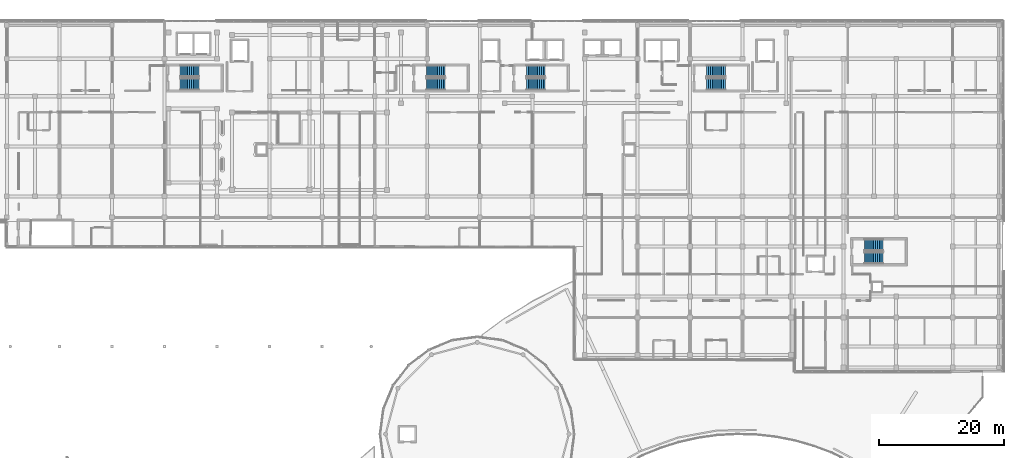
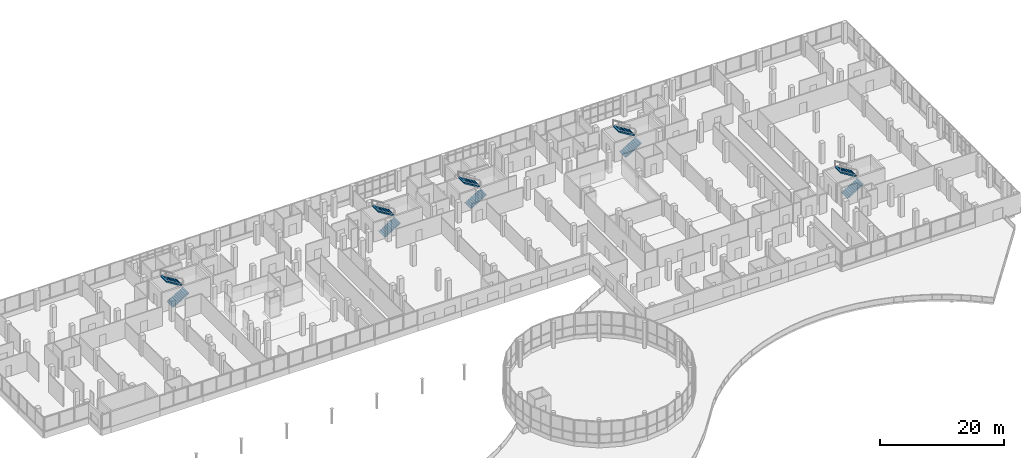
# One storey, part 92 of 101: 10 stair flights, 5 elements without a shape of their own.
"""IFC4 building model written with IfcOpenShell, lengths in metres."""

from ifc_helpers import new_model, si_unit, direction, frame, origin, place, context, subcontext, project, spatial, polyline, outline, extrude, material, layer, layer_set, type_object, element, aggregate, save


model = new_model("IFC4")

# Units and contexts
model_context = context("Model", 3, precision=1e-05, world=origin(), true_north=direction((0.0, 1.0)))
body_context = subcontext(model_context, "Body", "Model", "MODEL_VIEW")
ifc_project = project(units=[si_unit("LENGTHUNIT", "METRE"), si_unit("AREAUNIT", "SQUARE_METRE"), si_unit("VOLUMEUNIT", "CUBIC_METRE"), si_unit("PLANEANGLEUNIT", "RADIAN"), si_unit("MASSUNIT", "GRAM", prefix="KILO")], contexts=[model_context])

# Site, building, storey
site_placement = place(None, origin())
site = spatial("IfcSite", under=ifc_project, at=site_placement, CompositionType="ELEMENT")
building_placement = place(site_placement, origin())
building = spatial("IfcBuilding", under=site, at=building_placement, Name="Selatvlak General Hospital", CompositionType="ELEMENT")
storey_placement = place(building_placement, frame((0.0, 0.0, 19.199951171875)))
storey = spatial("IfcBuildingStorey", under=building, at=storey_placement, Name="L04", CompositionType="ELEMENT", Elevation=19.199951171875)

# Stair, stair flights
ifc_material = material(Name="Precast concrete C40/50", Category="concrete")
stair_type_1 = type_object("IfcStairType", Name="STAIR-ST-01", PredefinedType="HALF_TURN_STAIR", material=ifc_material)
stair_1_placement = place(storey_placement, origin())
stair_1 = element("IfcStair", 1, at=stair_1_placement, inside=storey, type_object=stair_type_1, Name="L04 Protected exit stair ST-01", PredefinedType="HALF_TURN_STAIR")
ifc_layer_1 = layer(ifc_material, 0.179931640625, Name="Precast concrete C40/50", Category="concrete")
ifc_layer_set_1 = layer_set([ifc_layer_1], Name="Precast concrete C40/50")
stair_flight_type_1 = type_object("IfcStairFlightType", Name="FLIGHT-ST-01", PredefinedType="STRAIGHT", material=ifc_layer_set_1)
stair_flight_1_placement = place(storey_placement, frame((50.510009765625, 109.929931640625, 0.0), z_axis=(0.0, 0.0, 1.0), x_axis=(1.0, 0.0, 0.0)))
stair_flight_1 = element("IfcStairFlight", 2, at=stair_flight_1_placement, type_object=stair_flight_type_1, Name="ST-01 flight 1", NumberOfRisers=11, NumberOfTreads=10, PredefinedType="STRAIGHT", RiserHeight=0.184090909, TreadLength=0.3, context=body_context, shape_type="SweptSolid", body=[
    extrude(outline(polyline([(0.0, 0.0), (0.0, 0.18408203125), (0.300048828125, 0.18408203125), (0.300048828125, 0.3681640625), (0.60009765625, 0.3681640625), (0.60009765625, 0.55224609375), (0.89990234375, 0.55224609375), (0.89990234375, 0.736328125), (1.199951171875, 0.736328125), (1.199951171875, 0.92041015625), (1.5, 0.92041015625), (1.5, 1.1044921875), (1.800048828125, 1.1044921875), (1.800048828125, 1.28857421875), (2.10009765625, 1.28857421875), (2.10009765625, 1.47265625), (2.39990234375, 1.47265625), (2.39990234375, 1.65673828125), (2.699951171875, 1.65673828125), (2.699951171875, 1.8408203125), (3.0, 1.8408203125), (3.0, 2.02490234375), (3.0, 1.6298828125), (0.343994140625, 0.0), (0.0, 0.0)])), frame((0.0, 0.93017578125, 0.0), z_axis=(0.0, -1.0, 0.0), x_axis=(1.0, 0.0, 0.0)), (0.0, 0.0, 1.0), 1.860107421875),
])
stair_flight_2_placement = place(storey_placement, frame((53.510009765625, 112.010009765625, 2.025146484375), z_axis=(0.0, 0.0, 1.0), x_axis=(-1.0, 0.0, 0.0)))
stair_flight_2 = element("IfcStairFlight", 3, at=stair_flight_2_placement, type_object=stair_flight_type_1, Name="ST-01 flight 2", NumberOfRisers=11, NumberOfTreads=10, PredefinedType="STRAIGHT", RiserHeight=0.184090909, TreadLength=0.3, context=body_context, shape_type="SweptSolid", body=[
    extrude(outline(polyline([(0.0, 0.0), (0.0, 0.18408203125), (0.300048828125, 0.18408203125), (0.300048828125, 0.3681640625), (0.60009765625, 0.3681640625), (0.60009765625, 0.55224609375), (0.89990234375, 0.55224609375), (0.89990234375, 0.736328125), (1.199951171875, 0.736328125), (1.199951171875, 0.92041015625), (1.5, 0.92041015625), (1.5, 1.1044921875), (1.800048828125, 1.1044921875), (1.800048828125, 1.28857421875), (2.10009765625, 1.28857421875), (2.10009765625, 1.47265625), (2.39990234375, 1.47265625), (2.39990234375, 1.65673828125), (2.699951171875, 1.65673828125), (2.699951171875, 1.8408203125), (3.0, 1.8408203125), (3.0, 2.02490234375), (3.0, 1.6298828125), (0.343994140625, 0.0), (0.0, 0.0)])), frame((0.0, 0.93017578125, 0.0), z_axis=(0.0, -1.0, 0.0), x_axis=(1.0, 0.0, 0.0)), (0.0, 0.0, 1.0), 1.860107421875),
])
aggregate(stair_1, [stair_flight_1, stair_flight_2])

stair_type_2 = type_object("IfcStairType", Name="STAIR-ST-02", PredefinedType="HALF_TURN_STAIR", material=ifc_material)
stair_2_placement = place(storey_placement, origin())
stair_2 = element("IfcStair", 4, at=stair_2_placement, inside=storey, type_object=stair_type_2, Name="L04 Protected exit stair ST-02", PredefinedType="HALF_TURN_STAIR")
ifc_layer_2 = layer(ifc_material, 0.179931640625, Name="Precast concrete C40/50", Category="concrete")
ifc_layer_set_2 = layer_set([ifc_layer_2], Name="Precast concrete C40/50")
stair_flight_type_2 = type_object("IfcStairFlightType", Name="FLIGHT-ST-02", PredefinedType="STRAIGHT", material=ifc_layer_set_2)
stair_flight_3_placement = place(storey_placement, frame((89.860107421875, 109.929931640625, 0.0), z_axis=(0.0, 0.0, 1.0), x_axis=(1.0, 0.0, 0.0)))
stair_flight_3 = element("IfcStairFlight", 5, at=stair_flight_3_placement, type_object=stair_flight_type_2, Name="ST-02 flight 1", NumberOfRisers=11, NumberOfTreads=10, PredefinedType="STRAIGHT", RiserHeight=0.184090909, TreadLength=0.3, context=body_context, shape_type="SweptSolid", body=[
    extrude(outline(polyline([(0.0, 0.0), (0.0, 0.18408203125), (0.300048828125, 0.18408203125), (0.300048828125, 0.3681640625), (0.60009765625, 0.3681640625), (0.60009765625, 0.55224609375), (0.89990234375, 0.55224609375), (0.89990234375, 0.736328125), (1.199951171875, 0.736328125), (1.199951171875, 0.92041015625), (1.5, 0.92041015625), (1.5, 1.1044921875), (1.800048828125, 1.1044921875), (1.800048828125, 1.28857421875), (2.10009765625, 1.28857421875), (2.10009765625, 1.47265625), (2.39990234375, 1.47265625), (2.39990234375, 1.65673828125), (2.699951171875, 1.65673828125), (2.699951171875, 1.8408203125), (3.0, 1.8408203125), (3.0, 2.02490234375), (3.0, 1.6298828125), (0.343994140625, 0.0), (0.0, 0.0)])), frame((0.0, 0.93017578125, 0.0), z_axis=(0.0, -1.0, 0.0), x_axis=(1.0, 0.0, 0.0)), (0.0, 0.0, 1.0), 1.860107421875),
])
stair_flight_4_placement = place(storey_placement, frame((92.860107421875, 112.010009765625, 2.025146484375), z_axis=(0.0, 0.0, 1.0), x_axis=(-1.0, 0.0, 0.0)))
stair_flight_4 = element("IfcStairFlight", 6, at=stair_flight_4_placement, type_object=stair_flight_type_2, Name="ST-02 flight 2", NumberOfRisers=11, NumberOfTreads=10, PredefinedType="STRAIGHT", RiserHeight=0.184090909, TreadLength=0.3, context=body_context, shape_type="SweptSolid", body=[
    extrude(outline(polyline([(0.0, 0.0), (0.0, 0.18408203125), (0.300048828125, 0.18408203125), (0.300048828125, 0.3681640625), (0.60009765625, 0.3681640625), (0.60009765625, 0.55224609375), (0.89990234375, 0.55224609375), (0.89990234375, 0.736328125), (1.199951171875, 0.736328125), (1.199951171875, 0.92041015625), (1.5, 0.92041015625), (1.5, 1.1044921875), (1.800048828125, 1.1044921875), (1.800048828125, 1.28857421875), (2.10009765625, 1.28857421875), (2.10009765625, 1.47265625), (2.39990234375, 1.47265625), (2.39990234375, 1.65673828125), (2.699951171875, 1.65673828125), (2.699951171875, 1.8408203125), (3.0, 1.8408203125), (3.0, 2.02490234375), (3.0, 1.6298828125), (0.343994140625, 0.0), (0.0, 0.0)])), frame((0.0, 0.93017578125, 0.0), z_axis=(0.0, -1.0, 0.0), x_axis=(1.0, 0.0, 0.0)), (0.0, 0.0, 1.0), 1.860107421875),
])
aggregate(stair_2, [stair_flight_3, stair_flight_4])

stair_type_3 = type_object("IfcStairType", Name="STAIR-ST-03", PredefinedType="HALF_TURN_STAIR", material=ifc_material)
stair_3_placement = place(storey_placement, origin())
stair_3 = element("IfcStair", 7, at=stair_3_placement, inside=storey, type_object=stair_type_3, Name="L04 Protected exit stair ST-03", PredefinedType="HALF_TURN_STAIR")
ifc_layer_3 = layer(ifc_material, 0.179931640625, Name="Precast concrete C40/50", Category="concrete")
ifc_layer_set_3 = layer_set([ifc_layer_3], Name="Precast concrete C40/50")
stair_flight_type_3 = type_object("IfcStairFlightType", Name="FLIGHT-ST-03", PredefinedType="STRAIGHT", material=ifc_layer_set_3)
stair_flight_5_placement = place(storey_placement, frame((105.860107421875, 109.929931640625, 0.0), z_axis=(0.0, 0.0, 1.0), x_axis=(1.0, 0.0, 0.0)))
stair_flight_5 = element("IfcStairFlight", 8, at=stair_flight_5_placement, type_object=stair_flight_type_3, Name="ST-03 flight 1", NumberOfRisers=11, NumberOfTreads=10, PredefinedType="STRAIGHT", RiserHeight=0.184090909, TreadLength=0.3, context=body_context, shape_type="SweptSolid", body=[
    extrude(outline(polyline([(0.0, 0.0), (0.0, 0.18408203125), (0.300048828125, 0.18408203125), (0.300048828125, 0.3681640625), (0.60009765625, 0.3681640625), (0.60009765625, 0.55224609375), (0.89990234375, 0.55224609375), (0.89990234375, 0.736328125), (1.199951171875, 0.736328125), (1.199951171875, 0.92041015625), (1.5, 0.92041015625), (1.5, 1.1044921875), (1.800048828125, 1.1044921875), (1.800048828125, 1.28857421875), (2.10009765625, 1.28857421875), (2.10009765625, 1.47265625), (2.39990234375, 1.47265625), (2.39990234375, 1.65673828125), (2.699951171875, 1.65673828125), (2.699951171875, 1.8408203125), (3.0, 1.8408203125), (3.0, 2.02490234375), (3.0, 1.6298828125), (0.343994140625, 0.0), (0.0, 0.0)])), frame((0.0, 0.93017578125, 0.0), z_axis=(0.0, -1.0, 0.0), x_axis=(1.0, 0.0, 0.0)), (0.0, 0.0, 1.0), 1.860107421875),
])
stair_flight_6_placement = place(storey_placement, frame((108.860107421875, 112.010009765625, 2.025146484375), z_axis=(0.0, 0.0, 1.0), x_axis=(-1.0, 0.0, 0.0)))
stair_flight_6 = element("IfcStairFlight", 9, at=stair_flight_6_placement, type_object=stair_flight_type_3, Name="ST-03 flight 2", NumberOfRisers=11, NumberOfTreads=10, PredefinedType="STRAIGHT", RiserHeight=0.184090909, TreadLength=0.3, context=body_context, shape_type="SweptSolid", body=[
    extrude(outline(polyline([(0.0, 0.0), (0.0, 0.18408203125), (0.300048828125, 0.18408203125), (0.300048828125, 0.3681640625), (0.60009765625, 0.3681640625), (0.60009765625, 0.55224609375), (0.89990234375, 0.55224609375), (0.89990234375, 0.736328125), (1.199951171875, 0.736328125), (1.199951171875, 0.92041015625), (1.5, 0.92041015625), (1.5, 1.1044921875), (1.800048828125, 1.1044921875), (1.800048828125, 1.28857421875), (2.10009765625, 1.28857421875), (2.10009765625, 1.47265625), (2.39990234375, 1.47265625), (2.39990234375, 1.65673828125), (2.699951171875, 1.65673828125), (2.699951171875, 1.8408203125), (3.0, 1.8408203125), (3.0, 2.02490234375), (3.0, 1.6298828125), (0.343994140625, 0.0), (0.0, 0.0)])), frame((0.0, 0.93017578125, 0.0), z_axis=(0.0, -1.0, 0.0), x_axis=(1.0, 0.0, 0.0)), (0.0, 0.0, 1.0), 1.860107421875),
])
aggregate(stair_3, [stair_flight_5, stair_flight_6])

stair_type_4 = type_object("IfcStairType", Name="STAIR-ST-04", PredefinedType="HALF_TURN_STAIR", material=ifc_material)
stair_4_placement = place(storey_placement, origin())
stair_4 = element("IfcStair", 10, at=stair_4_placement, inside=storey, type_object=stair_type_4, Name="L04 Protected exit stair ST-04", PredefinedType="HALF_TURN_STAIR")
ifc_layer_4 = layer(ifc_material, 0.179931640625, Name="Precast concrete C40/50", Category="concrete")
ifc_layer_set_4 = layer_set([ifc_layer_4], Name="Precast concrete C40/50")
stair_flight_type_4 = type_object("IfcStairFlightType", Name="FLIGHT-ST-04", PredefinedType="STRAIGHT", material=ifc_layer_set_4)
stair_flight_7_placement = place(storey_placement, frame((134.659912109375, 109.929931640625, 0.0), z_axis=(0.0, 0.0, 1.0), x_axis=(1.0, 0.0, 0.0)))
stair_flight_7 = element("IfcStairFlight", 11, at=stair_flight_7_placement, type_object=stair_flight_type_4, Name="ST-04 flight 1", NumberOfRisers=11, NumberOfTreads=10, PredefinedType="STRAIGHT", RiserHeight=0.184090909, TreadLength=0.3, context=body_context, shape_type="SweptSolid", body=[
    extrude(outline(polyline([(0.0, 0.0), (0.0, 0.18408203125), (0.300048828125, 0.18408203125), (0.300048828125, 0.3681640625), (0.60009765625, 0.3681640625), (0.60009765625, 0.55224609375), (0.89990234375, 0.55224609375), (0.89990234375, 0.736328125), (1.199951171875, 0.736328125), (1.199951171875, 0.92041015625), (1.5, 0.92041015625), (1.5, 1.1044921875), (1.800048828125, 1.1044921875), (1.800048828125, 1.28857421875), (2.10009765625, 1.28857421875), (2.10009765625, 1.47265625), (2.39990234375, 1.47265625), (2.39990234375, 1.65673828125), (2.699951171875, 1.65673828125), (2.699951171875, 1.8408203125), (3.0, 1.8408203125), (3.0, 2.02490234375), (3.0, 1.6298828125), (0.343994140625, 0.0), (0.0, 0.0)])), frame((0.0, 0.93017578125, 0.0), z_axis=(0.0, -1.0, 0.0), x_axis=(1.0, 0.0, 0.0)), (0.0, 0.0, 1.0), 1.860107421875),
])
stair_flight_8_placement = place(storey_placement, frame((137.659912109375, 112.010009765625, 2.025146484375), z_axis=(0.0, 0.0, 1.0), x_axis=(-1.0, 0.0, 0.0)))
stair_flight_8 = element("IfcStairFlight", 12, at=stair_flight_8_placement, type_object=stair_flight_type_4, Name="ST-04 flight 2", NumberOfRisers=11, NumberOfTreads=10, PredefinedType="STRAIGHT", RiserHeight=0.184090909, TreadLength=0.3, context=body_context, shape_type="SweptSolid", body=[
    extrude(outline(polyline([(0.0, 0.0), (0.0, 0.18408203125), (0.300048828125, 0.18408203125), (0.300048828125, 0.3681640625), (0.60009765625, 0.3681640625), (0.60009765625, 0.55224609375), (0.89990234375, 0.55224609375), (0.89990234375, 0.736328125), (1.199951171875, 0.736328125), (1.199951171875, 0.92041015625), (1.5, 0.92041015625), (1.5, 1.1044921875), (1.800048828125, 1.1044921875), (1.800048828125, 1.28857421875), (2.10009765625, 1.28857421875), (2.10009765625, 1.47265625), (2.39990234375, 1.47265625), (2.39990234375, 1.65673828125), (2.699951171875, 1.65673828125), (2.699951171875, 1.8408203125), (3.0, 1.8408203125), (3.0, 2.02490234375), (3.0, 1.6298828125), (0.343994140625, 0.0), (0.0, 0.0)])), frame((0.0, 0.93017578125, 0.0), z_axis=(0.0, -1.0, 0.0), x_axis=(1.0, 0.0, 0.0)), (0.0, 0.0, 1.0), 1.860107421875),
])
aggregate(stair_4, [stair_flight_7, stair_flight_8])

stair_type_5 = type_object("IfcStairType", Name="STAIR-ST-06", PredefinedType="HALF_TURN_STAIR", material=ifc_material)
stair_5_placement = place(storey_placement, origin())
stair_5 = element("IfcStair", 13, at=stair_5_placement, inside=storey, type_object=stair_type_5, Name="L04 Protected exit stair ST-06", PredefinedType="HALF_TURN_STAIR")
ifc_layer_5 = layer(ifc_material, 0.179931640625, Name="Precast concrete C40/50", Category="concrete")
ifc_layer_set_5 = layer_set([ifc_layer_5], Name="Precast concrete C40/50")
stair_flight_type_5 = type_object("IfcStairFlightType", Name="FLIGHT-ST-06", PredefinedType="STRAIGHT", material=ifc_layer_set_5)
stair_flight_9_placement = place(storey_placement, frame((159.860107421875, 82.1298828125, 0.0), z_axis=(0.0, 0.0, 1.0), x_axis=(1.0, 0.0, 0.0)))
stair_flight_9 = element("IfcStairFlight", 14, at=stair_flight_9_placement, type_object=stair_flight_type_5, Name="ST-06 flight 1", NumberOfRisers=11, NumberOfTreads=10, PredefinedType="STRAIGHT", RiserHeight=0.184090909, TreadLength=0.3, context=body_context, shape_type="SweptSolid", body=[
    extrude(outline(polyline([(0.0, 0.0), (0.0, 0.18408203125), (0.300048828125, 0.18408203125), (0.300048828125, 0.3681640625), (0.60009765625, 0.3681640625), (0.60009765625, 0.55224609375), (0.89990234375, 0.55224609375), (0.89990234375, 0.736328125), (1.199951171875, 0.736328125), (1.199951171875, 0.92041015625), (1.5, 0.92041015625), (1.5, 1.1044921875), (1.800048828125, 1.1044921875), (1.800048828125, 1.28857421875), (2.10009765625, 1.28857421875), (2.10009765625, 1.47265625), (2.39990234375, 1.47265625), (2.39990234375, 1.65673828125), (2.699951171875, 1.65673828125), (2.699951171875, 1.8408203125), (3.0, 1.8408203125), (3.0, 2.02490234375), (3.0, 1.6298828125), (0.343994140625, 0.0), (0.0, 0.0)])), frame((0.0, 0.93017578125, 0.0), z_axis=(0.0, -1.0, 0.0), x_axis=(1.0, 0.0, 0.0)), (0.0, 0.0, 1.0), 1.860107421875),
])
stair_flight_10_placement = place(storey_placement, frame((162.860107421875, 84.2099609375, 2.025146484375), z_axis=(0.0, 0.0, 1.0), x_axis=(-1.0, 0.0, 0.0)))
stair_flight_10 = element("IfcStairFlight", 15, at=stair_flight_10_placement, type_object=stair_flight_type_5, Name="ST-06 flight 2", NumberOfRisers=11, NumberOfTreads=10, PredefinedType="STRAIGHT", RiserHeight=0.184090909, TreadLength=0.3, context=body_context, shape_type="SweptSolid", body=[
    extrude(outline(polyline([(0.0, 0.0), (0.0, 0.18408203125), (0.300048828125, 0.18408203125), (0.300048828125, 0.3681640625), (0.60009765625, 0.3681640625), (0.60009765625, 0.55224609375), (0.89990234375, 0.55224609375), (0.89990234375, 0.736328125), (1.199951171875, 0.736328125), (1.199951171875, 0.92041015625), (1.5, 0.92041015625), (1.5, 1.1044921875), (1.800048828125, 1.1044921875), (1.800048828125, 1.28857421875), (2.10009765625, 1.28857421875), (2.10009765625, 1.47265625), (2.39990234375, 1.47265625), (2.39990234375, 1.65673828125), (2.699951171875, 1.65673828125), (2.699951171875, 1.8408203125), (3.0, 1.8408203125), (3.0, 2.02490234375), (3.0, 1.6298828125), (0.343994140625, 0.0), (0.0, 0.0)])), frame((0.0, 0.93017578125, 0.0), z_axis=(0.0, -1.0, 0.0), x_axis=(1.0, 0.0, 0.0)), (0.0, 0.0, 1.0), 1.860107421875),
])
aggregate(stair_5, [stair_flight_9, stair_flight_10])

save(model, "model.ifc")
